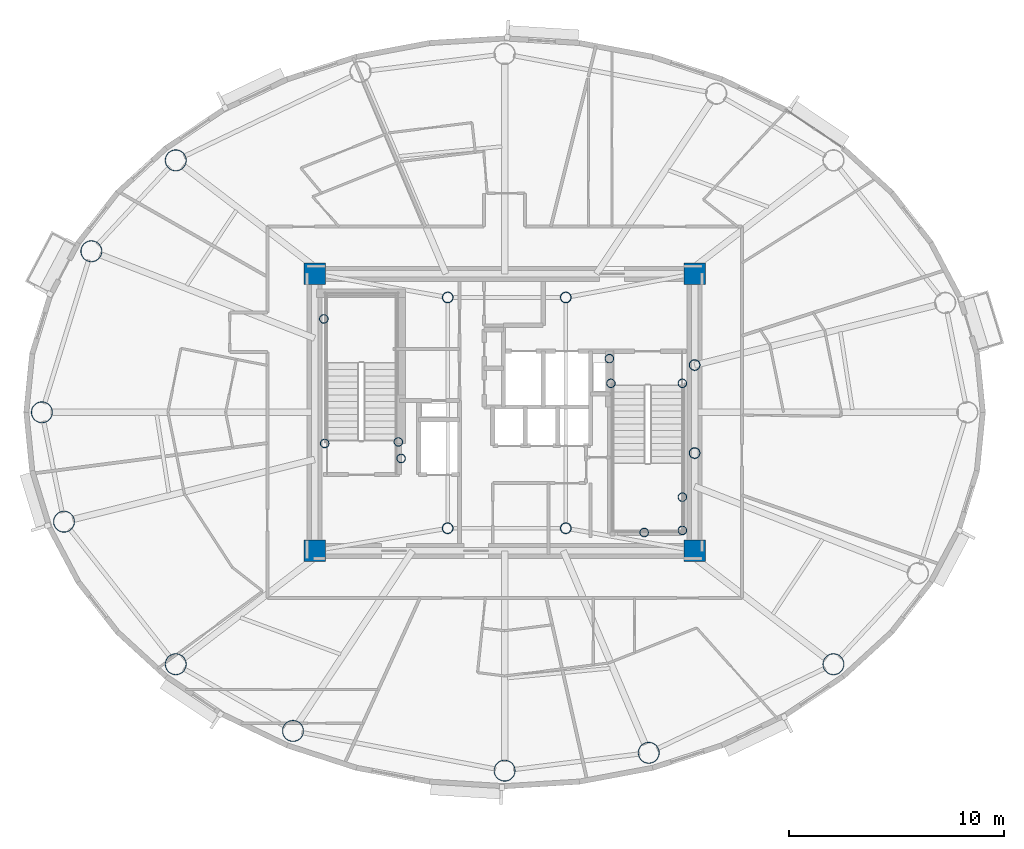
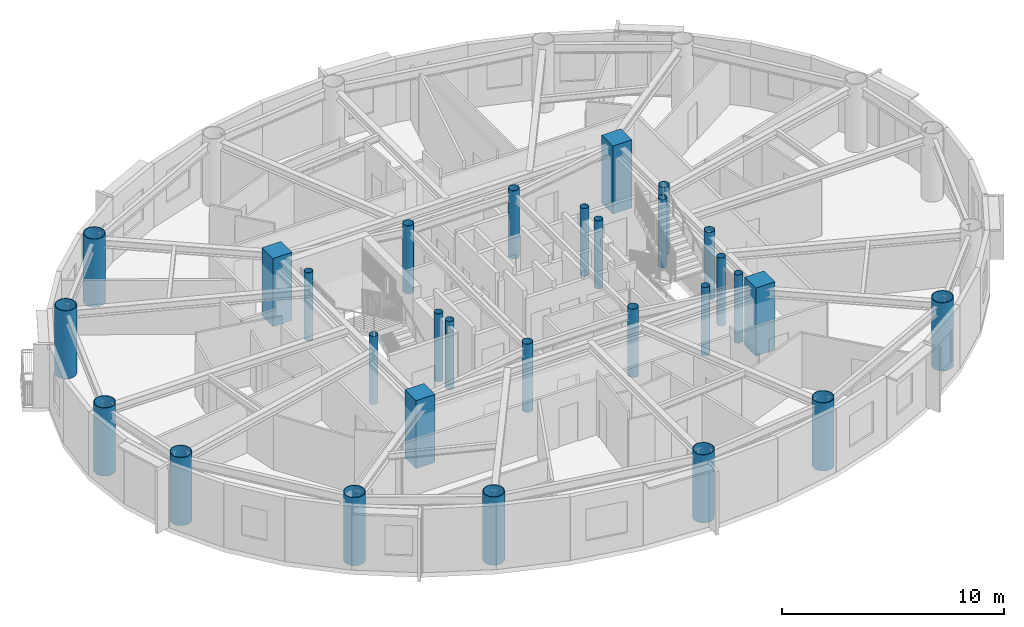
# One storey, part 1 of 17: 29 columns.
"""IFC4 building model written with IfcOpenShell, lengths in metres."""

import ifcopenshell
import ifcopenshell.guid

model = None  # the IFC model being written
_history = None  # IfcOwnerHistory: only IFC2X3 demands one
_inside = {}  # id of a spatial element -> (the spatial element, [elements in it])
_under = {}  # id of a project, library or spatial element -> (it, [spatial elements below it])
_declared = {}  # id of a project -> (the project, [libraries it declares])
_typed = {}  # id of a type object -> (the type object, [elements of that type])
_made_of = {}  # id of a material, layer set ... -> (it, [elements and type objects made of it])


def new_model(schema):
    """Start an empty IFC model of exactly this schema.

    Asked for "IFC4X3", IfcOpenShell would pick the latest addendum, in which some entities
    have other attributes; the version numbers below select the first issue.
    IFC2X3 requires an IfcOwnerHistory on every rooted entity: one is made here for all.
    """
    global model, _history
    if schema == "IFC4X3":
        model = ifcopenshell.file(schema_version=(4, 3, 0, 0))
    else:
        model = ifcopenshell.file(schema=schema)
    _inside.clear()
    _under.clear()
    _declared.clear()
    _typed.clear()
    _made_of.clear()
    _history = None
    if model.schema == "IFC2X3":
        org = make("IfcOrganization", Name="unknown")
        user = make(
            "IfcPersonAndOrganization",
            ThePerson=make("IfcPerson", FamilyName="unknown"),
            TheOrganization=org,
        )
        app = make(
            "IfcApplication",
            ApplicationDeveloper=org,
            Version="unknown",
            ApplicationFullName="unknown",
            ApplicationIdentifier="unknown",
        )
        _history = make(
            "IfcOwnerHistory",
            OwningUser=user,
            OwningApplication=app,
            ChangeAction="ADDED",
            CreationDate=0,
        )
    return model


def make(cls, **values):
    """One entity of the class cls with the attributes given. An attribute that is None is left unset."""
    return model.create_entity(
        cls, **{name: value for name, value in values.items() if value is not None}
    )


def rooted(cls, **values):
    """An entity with a GlobalId (a new one), such as an element, a storey or a relation."""
    return make(cls, GlobalId=ifcopenshell.guid.new(), OwnerHistory=_history, **values)


def si_unit(unit_type, name, prefix=None):
    """IfcSIUnit, for example si_unit("LENGTHUNIT", "METRE", prefix="MILLI")."""
    return make("IfcSIUnit", UnitType=unit_type, Prefix=prefix, Name=name)


def assignment(units):
    """IfcUnitAssignment: the units of a project."""
    return None if units is None else make("IfcUnitAssignment", Units=units)


def point(xyz):
    """IfcCartesianPoint."""
    return None if xyz is None else make("IfcCartesianPoint", Coordinates=xyz)


def direction(xyz):
    """IfcDirection."""
    return None if xyz is None else make("IfcDirection", DirectionRatios=xyz)


def frame(location, z_axis=None, x_axis=None):
    """IfcAxis2Placement3D, a coordinate frame: its origin and axes. An axis left out is left unset."""
    return make(
        "IfcAxis2Placement3D",
        Location=point(location),
        Axis=direction(z_axis),
        RefDirection=direction(x_axis),
    )


def frame_2d(location, x_axis=None):
    """IfcAxis2Placement2D, a coordinate frame in the plane: its origin and x axis."""
    return make(
        "IfcAxis2Placement2D", Location=point(location), RefDirection=direction(x_axis)
    )


def origin():
    """The frame at (0, 0, 0) with its axes left unset."""
    return frame((0.0, 0.0, 0.0))


def origin_2d():
    """The frame at (0, 0) in the plane with its x axis left unset."""
    return frame_2d((0.0, 0.0))


def place(relative_to, where):
    """IfcLocalPlacement: puts the frame where relative to a parent placement (None: the world)."""
    return make(
        "IfcLocalPlacement", PlacementRelTo=relative_to, RelativePlacement=where
    )


def context(
    kind, dimensions, precision=None, world=None, true_north=None, identifier=None
):
    """IfcGeometricRepresentationContext, for example the 3D "Model" context."""
    return make(
        "IfcGeometricRepresentationContext",
        ContextIdentifier=identifier,
        ContextType=kind,
        CoordinateSpaceDimension=dimensions,
        Precision=precision,
        WorldCoordinateSystem=world,
        TrueNorth=true_north,
    )


def subcontext(parent, identifier, kind, view, scale=None):
    """IfcGeometricRepresentationSubContext, for example "Body" below "Model"."""
    return make(
        "IfcGeometricRepresentationSubContext",
        ContextIdentifier=identifier,
        ContextType=kind,
        ParentContext=parent,
        TargetScale=scale,
        TargetView=view,
    )


def project(units=None, contexts=None):
    """IfcProject with its units and contexts."""
    return rooted(
        "IfcProject",
        Name="project",
        RepresentationContexts=contexts,
        UnitsInContext=assignment(units),
    )


def spatial(cls, under=None, at=None, **own):
    """A site, building, storey or space (cls), placed at a placement, below another one or the project."""
    s = rooted(cls, ObjectPlacement=at, **own)
    if under is not None:
        _under.setdefault(under.id(), (under, []))[1].append(s)
    return s


def profile(cls, at=None, kind="AREA", **sizes):
    """A parametric profile (cls). Its sizes go by their IFC names, for example OverallWidth=200.0."""
    return make(cls, ProfileType=kind, Position=at, **sizes)


def rectangle(**sizes):
    """IfcRectangleProfileDef."""
    return profile("IfcRectangleProfileDef", **sizes)


def hollow_circle(**sizes):
    """IfcCircleHollowProfileDef."""
    return profile("IfcCircleHollowProfileDef", **sizes)


def extrude(swept, where, along, depth):
    """IfcExtrudedAreaSolid: the profile swept, set in the frame where, extruded along a direction by depth."""
    return make(
        "IfcExtrudedAreaSolid",
        SweptArea=swept,
        Position=where,
        ExtrudedDirection=direction(along),
        Depth=depth,
    )


def shape(context_of_items, identifier, shape_type, items):
    """IfcShapeRepresentation: the items that make up one representation, for example the "Body"."""
    return make(
        "IfcShapeRepresentation",
        ContextOfItems=context_of_items,
        RepresentationIdentifier=identifier,
        RepresentationType=shape_type,
        Items=items,
    )


def material(Name=None, Category=None):
    """IfcMaterial."""
    return make("IfcMaterial", Name=Name, Category=Category)


def material_profile(
    of_material, cross_section, Name=None, Category=None, Priority=None
):
    """IfcMaterialProfile: a cross section and its material."""
    return make(
        "IfcMaterialProfile",
        Name=Name,
        Material=of_material,
        Profile=cross_section,
        Priority=Priority,
        Category=Category,
    )


def profile_set(profiles, Name=None, composite=None):
    """IfcMaterialProfileSet."""
    return make(
        "IfcMaterialProfileSet",
        Name=Name,
        MaterialProfiles=profiles,
        CompositeProfile=composite,
    )


def made_of(thing, what):
    """Note that an element or type object is made of a material, layer set ...; save() writes the relation."""
    if what is not None:
        _made_of.setdefault(what.id(), (what, []))[1].append(thing)
    return thing


def type_object(cls, material=None, **own):
    """A type object (cls), such as IfcWallType, which elements share."""
    return made_of(rooted(cls, **own), material)


def element(
    cls,
    number,
    at=None,
    inside=None,
    cuts=None,
    type_object=None,
    material=None,
    context=None,
    identifier="Body",
    shape_type=None,
    held_by="IfcProductDefinitionShape",
    body=None,
    shapes=None,
    **own,
):
    """One element of the class cls, such as IfcWall. Its Tag is "e" and its number.

    at: its placement. inside: the storey or other place that contains it. cuts: it is an
    opening in that element (IfcRelVoidsElement). A single representation is given by context,
    identifier, shape_type and body (its items); several are given by shapes. held_by: the class
    of the entity that holds the representations. save() writes the other relations.
    """
    e = rooted(cls, Tag="e%d" % number, ObjectPlacement=at, **own)
    if body is not None:
        shapes = [shape(context, identifier, shape_type, body)]
    if shapes is not None:
        e.Representation = make(held_by, Representations=shapes)
    if inside is not None:
        _inside.setdefault(inside.id(), (inside, []))[1].append(e)
    if cuts is not None:
        rooted(
            "IfcRelVoidsElement", RelatingBuildingElement=cuts, RelatedOpeningElement=e
        )
    if type_object is not None:
        _typed.setdefault(type_object.id(), (type_object, []))[1].append(e)
    return made_of(e, material)


def aggregate(whole, parts):
    """IfcRelAggregates: a whole, such as a stair, and the parts it consists of."""
    return rooted("IfcRelAggregates", RelatingObject=whole, RelatedObjects=parts)


def save(model, path):
    """Write the relations noted so far, then the file.

    IfcRelAggregates (storeys below a building ...), IfcRelContainedInSpatialStructure (elements
    in a storey), IfcRelDefinesByType, IfcRelAssociatesMaterial and IfcRelDeclares: one each for
    every whole, place, type object, material and project.
    """
    for whole, parts in _under.values():
        aggregate(whole, parts)
    for where, things in _inside.values():
        rooted(
            "IfcRelContainedInSpatialStructure",
            RelatedElements=things,
            RelatingStructure=where,
        )
    for kind, things in _typed.values():
        rooted("IfcRelDefinesByType", RelatedObjects=things, RelatingType=kind)
    for what, things in _made_of.values():
        rooted("IfcRelAssociatesMaterial", RelatedObjects=things, RelatingMaterial=what)
    for by, libraries in _declared.values():
        rooted("IfcRelDeclares", RelatingContext=by, RelatedDefinitions=libraries)
    model.write(path)


model = new_model("IFC4")

# Units and contexts
model_context = context("Model", 3, precision=1e-05, world=origin(), true_north=direction((0.0, 1.0)))
body_context = subcontext(model_context, "Body", "Model", "MODEL_VIEW")
ifc_project = project(units=[si_unit("LENGTHUNIT", "METRE"), si_unit("AREAUNIT", "SQUARE_METRE"), si_unit("VOLUMEUNIT", "CUBIC_METRE"), si_unit("PLANEANGLEUNIT", "RADIAN"), si_unit("MASSUNIT", "GRAM", prefix="KILO")], contexts=[model_context])

# Site, building, storey
site_placement = place(None, origin())
site = spatial("IfcSite", under=ifc_project, at=site_placement, CompositionType="ELEMENT")
building_placement = place(site_placement, origin())
building = spatial("IfcBuilding", under=site, at=building_placement, Name="Linh Dai School and Residence Tower", CompositionType="ELEMENT")
storey_placement = place(building_placement, frame((0.0, 0.0, 303.0)))
storey = spatial("IfcBuildingStorey", under=building, at=storey_placement, Name="L75", CompositionType="ELEMENT", Elevation=303.0)

# Columns
ifc_material_1 = material(Name="Concrete B45 (C35/45)", Category="concrete")
ifc_material_profile_1 = material_profile(ifc_material_1, rectangle(XDim=1.0, YDim=1.0, at=origin_2d()), Name="RC 1000x1000")
ifc_profile_set_1 = profile_set([ifc_material_profile_1], Name="Concrete B45 (C35/45)")
column_type_1 = type_object("IfcColumnType", Name="COL-CC3", PredefinedType="COLUMN", material=ifc_profile_set_1)
for number, where, z_axis, x_axis, name in (
    (1, (27.14990234375, 20.550048828125, 0.0), (0.0, 0.0, 1.0), (1.0, 0.0, 0.0), "L75 Core Corner Pier CC1"),
    (2, (44.85009765625, 20.550048828125, 0.0), (0.0, 0.0, 1.0), (1.0, 0.0, 0.0), "L75 Core Corner Pier CC2"),
    (3, (44.85009765625, 33.449951171875, 0.0), (0.0, 0.0, 1.0), (1.0, 0.0, 0.0), "L75 Core Corner Pier CC3"),
    (4, (27.14990234375, 33.449951171875, 0.0), (0.0, 0.0, 1.0), (1.0, 0.0, 0.0), "L75 Core Corner Pier CC4"),
):
    element("IfcColumn", number, at=place(storey_placement, frame(where, z_axis=z_axis, x_axis=x_axis)), inside=storey, type_object=column_type_1, Name=name, PredefinedType="COLUMN", context=body_context, shape_type="SweptSolid", body=[
        extrude(rectangle(XDim=1.0, YDim=1.0, at=origin_2d()), origin(), (0.0, 0.0, 1.0), 3.75),
    ])
ifc_material_2 = material(Name="Structural Steel S355JR", Category="steel")
ifc_material_profile_2 = material_profile(ifc_material_2, hollow_circle(Radius=0.203125, WallThickness=0.01611328125, at=origin_2d()), Name="CHS 406.4x16")
ifc_profile_set_2 = profile_set([ifc_material_profile_2], Name="Structural Steel S355JR")
column_type_2 = type_object("IfcColumnType", Name="COL-EC", PredefinedType="COLUMN", material=ifc_profile_set_2)
for number, where, z_axis, x_axis, name in (
    (5, (27.580078125, 31.35009765625, 0.0), (0.0, 0.0, 1.0), (1.0, 0.0, 0.0), "L75 Stair Shaft Landing Support Pier ST1NW"),
    (6, (31.050048828125, 25.6201171875, 0.0), (0.0, 0.0, 1.0), (1.0, 0.0, 0.0), "L75 Stair Shaft Landing Support Pier ST1SE"),
    (7, (31.179931640625, 24.85009765625, 0.0), (0.0, 0.0, 1.0), (1.0, 0.0, 0.0), "L75 Stair Shaft Landing Support Pier ST1SM"),
    (8, (27.6201171875, 25.550048828125, 0.0), (0.0, 0.0, 1.0), (1.0, 0.0, 0.0), "L75 Stair Shaft Landing Support Pier ST1SW"),
    (9, (44.280029296875, 21.5, 0.0), (0.0, 0.0, 1.0), (1.0, 0.0, 0.0), "L75 Stair Shaft Landing Support Pier ST2SE"),
    (10, (44.280029296875, 23.050048828125, 0.0), (0.0, 0.0, 1.0), (1.0, 0.0, 0.0), "L75 Stair Shaft Landing Support Pier ST2NE"),
    (11, (42.5, 21.39990234375, 0.0), (0.0, 0.0, 1.0), (1.0, 0.0, 0.0), "L75 Stair Shaft Landing Support Pier ST2MS"),
    (12, (40.949951171875, 28.35009765625, 0.0), (0.0, 0.0, 1.0), (1.0, 0.0, 0.0), "L75 Stair Shaft Landing Support Pier ST2N1"),
    (13, (44.280029296875, 28.35009765625, 0.0), (0.0, 0.0, 1.0), (1.0, 0.0, 0.0), "L75 Stair Shaft Landing Support Pier ST2N2"),
    (14, (40.8798828125, 29.5, 0.0), (0.0, 0.0, 1.0), (1.0, 0.0, 0.0), "L75 Stair Shaft Landing Support Pier ST2N3"),
):
    element("IfcColumn", number, at=place(storey_placement, frame(where, z_axis=z_axis, x_axis=x_axis)), inside=storey, type_object=column_type_2, Name=name, PredefinedType="COLUMN", context=body_context, shape_type="SweptSolid", body=[
        extrude(hollow_circle(Radius=0.203125, WallThickness=0.01611328125, at=origin_2d()), origin(), (0.0, 0.0, 1.0), 3.75),
    ])
ifc_material_profile_3 = material_profile(ifc_material_2, hollow_circle(Radius=0.5, WallThickness=0.031982421875, at=origin_2d()), Name="CHS 1000x32")
ifc_profile_set_3 = profile_set([ifc_material_profile_3], Name="Structural Steel S355JR")
column_type_3 = type_object("IfcColumnType", Name="COL-MC6", PredefinedType="COLUMN", material=ifc_profile_set_3)
for number, where, z_axis, x_axis, name in (
    (15, (20.684814453125, 38.7333984375, 0.0), (0.0, 0.0, 1.0), (1.0, 0.0, 0.0), "L75 Perimeter CFT Mega-Column MC07"),
    (16, (16.75390625, 34.49951171875, 0.0), (0.0, 0.0, 1.0), (1.0, 0.0, 0.0), "L75 Perimeter CFT Mega-Column MC08"),
    (17, (14.449951171875, 27.0, 0.0), (0.0, 0.0, 1.0), (1.0, 0.0, 0.0), "L75 Perimeter CFT Mega-Column MC09"),
    (18, (15.4814453125, 21.905517578125, 0.0), (0.0, 0.0, 1.0), (1.0, 0.0, 0.0), "L75 Perimeter CFT Mega-Column MC10"),
    (19, (20.684814453125, 15.2666015625, 0.0), (0.0, 0.0, 1.0), (1.0, 0.0, 0.0), "L75 Perimeter CFT Mega-Column MC11"),
    (20, (26.1455078125, 12.1611328125, 0.0), (0.0, 0.0, 1.0), (1.0, 0.0, 0.0), "L75 Perimeter CFT Mega-Column MC12"),
    (21, (36.0, 10.31005859375, 0.0), (0.0, 0.0, 1.0), (1.0, 0.0, 0.0), "L75 Perimeter CFT Mega-Column MC13"),
    (22, (42.71240234375, 11.142333984375, 0.0), (0.0, 0.0, 1.0), (1.0, 0.0, 0.0), "L75 Perimeter CFT Mega-Column MC14"),
    (23, (51.315185546875, 15.2666015625, 0.0), (0.0, 0.0, 1.0), (1.0, 0.0, 0.0), "L75 Perimeter CFT Mega-Column MC15"),
):
    element("IfcColumn", number, at=place(storey_placement, frame(where, z_axis=z_axis, x_axis=x_axis)), inside=storey, type_object=column_type_3, Name=name, PredefinedType="COLUMN", context=body_context, shape_type="SweptSolid", body=[
        extrude(hollow_circle(Radius=0.5, WallThickness=0.031982421875, at=origin_2d()), origin(), (0.0, 0.0, 1.0), 3.75),
    ])
ifc_material_profile_4 = material_profile(ifc_material_2, hollow_circle(Radius=0.25390625, WallThickness=0.02001953125, at=origin_2d()), Name="CHS 508x20")
ifc_profile_set_4 = profile_set([ifc_material_profile_4], Name="Structural Steel S355JR")
column_type_4 = type_object("IfcColumnType", Name="COL-MCP", PredefinedType="COLUMN", material=ifc_profile_set_4)
for number, where, z_axis, x_axis, name in (
    (24, (33.35009765625, 21.60009765625, 0.0), (0.0, 0.0, 1.0), (1.0, 0.0, 0.0), "L75 Core Mast Support Pier MCP1"),
    (25, (38.85009765625, 21.60009765625, 0.0), (0.0, 0.0, 1.0), (1.0, 0.0, 0.0), "L75 Core Mast Support Pier MCP2"),
    (26, (38.85009765625, 32.35009765625, 0.0), (0.0, 0.0, 1.0), (1.0, 0.0, 0.0), "L75 Core Mast Support Pier MCP3"),
    (27, (33.35009765625, 32.35009765625, 0.0), (0.0, 0.0, 1.0), (1.0, 0.0, 0.0), "L75 Core Mast Support Pier MCP4"),
    (28, (44.85009765625, 25.10009765625, 0.0), (0.0, 0.0, 1.0), (1.0, 0.0, 0.0), "L75 Sky-Lounge Core Anchor Pier S"),
    (29, (44.85009765625, 29.199951171875, 0.0), (0.0, 0.0, 1.0), (1.0, 0.0, 0.0), "L75 Sky-Lounge Core Anchor Pier N"),
):
    element("IfcColumn", number, at=place(storey_placement, frame(where, z_axis=z_axis, x_axis=x_axis)), inside=storey, type_object=column_type_4, Name=name, PredefinedType="COLUMN", context=body_context, shape_type="SweptSolid", body=[
        extrude(hollow_circle(Radius=0.25390625, WallThickness=0.02001953125, at=origin_2d()), origin(), (0.0, 0.0, 1.0), 3.75),
    ])

save(model, "model.ifc")
